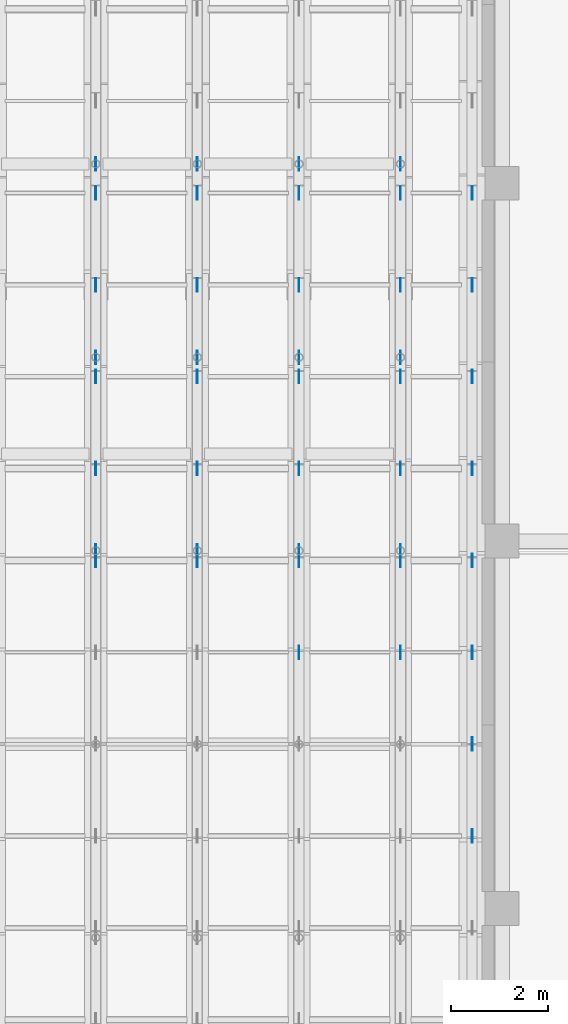
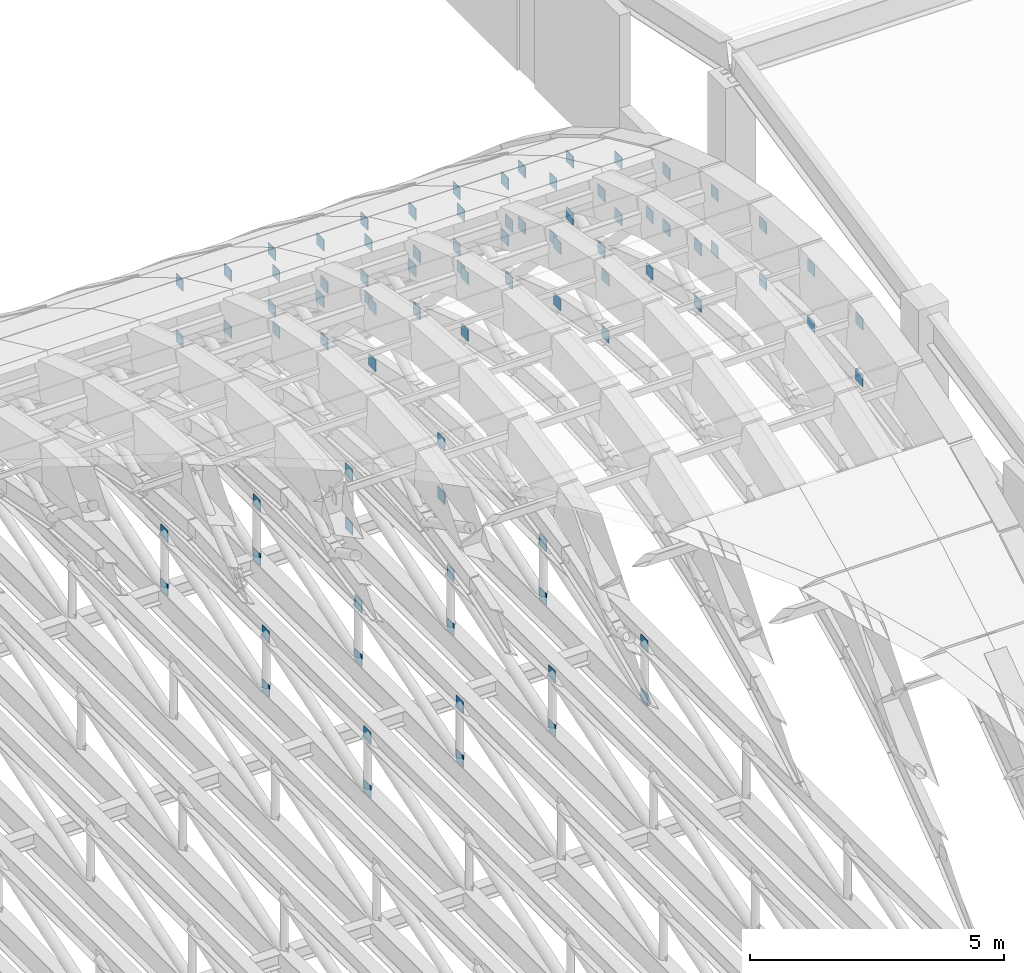
# One storey, part 63 of 67: 84 plates.
"""IFC4 building model written with IfcOpenShell, lengths in metres."""

import ifcopenshell
import ifcopenshell.guid

model = None  # the IFC model being written
_history = None  # IfcOwnerHistory: only IFC2X3 demands one
_inside = {}  # id of a spatial element -> (the spatial element, [elements in it])
_under = {}  # id of a project, library or spatial element -> (it, [spatial elements below it])
_declared = {}  # id of a project -> (the project, [libraries it declares])
_typed = {}  # id of a type object -> (the type object, [elements of that type])
_made_of = {}  # id of a material, layer set ... -> (it, [elements and type objects made of it])


def new_model(schema):
    """Start an empty IFC model of exactly this schema.

    Asked for "IFC4X3", IfcOpenShell would pick the latest addendum, in which some entities
    have other attributes; the version numbers below select the first issue.
    IFC2X3 requires an IfcOwnerHistory on every rooted entity: one is made here for all.
    """
    global model, _history
    if schema == "IFC4X3":
        model = ifcopenshell.file(schema_version=(4, 3, 0, 0))
    else:
        model = ifcopenshell.file(schema=schema)
    _inside.clear()
    _under.clear()
    _declared.clear()
    _typed.clear()
    _made_of.clear()
    _history = None
    if model.schema == "IFC2X3":
        org = make("IfcOrganization", Name="unknown")
        user = make(
            "IfcPersonAndOrganization",
            ThePerson=make("IfcPerson", FamilyName="unknown"),
            TheOrganization=org,
        )
        app = make(
            "IfcApplication",
            ApplicationDeveloper=org,
            Version="unknown",
            ApplicationFullName="unknown",
            ApplicationIdentifier="unknown",
        )
        _history = make(
            "IfcOwnerHistory",
            OwningUser=user,
            OwningApplication=app,
            ChangeAction="ADDED",
            CreationDate=0,
        )
    return model


def make(cls, **values):
    """One entity of the class cls with the attributes given. An attribute that is None is left unset."""
    return model.create_entity(
        cls, **{name: value for name, value in values.items() if value is not None}
    )


def rooted(cls, **values):
    """An entity with a GlobalId (a new one), such as an element, a storey or a relation."""
    return make(cls, GlobalId=ifcopenshell.guid.new(), OwnerHistory=_history, **values)


def si_unit(unit_type, name, prefix=None):
    """IfcSIUnit, for example si_unit("LENGTHUNIT", "METRE", prefix="MILLI")."""
    return make("IfcSIUnit", UnitType=unit_type, Prefix=prefix, Name=name)


def assignment(units):
    """IfcUnitAssignment: the units of a project."""
    return None if units is None else make("IfcUnitAssignment", Units=units)


def point(xyz):
    """IfcCartesianPoint."""
    return None if xyz is None else make("IfcCartesianPoint", Coordinates=xyz)


def direction(xyz):
    """IfcDirection."""
    return None if xyz is None else make("IfcDirection", DirectionRatios=xyz)


def frame(location, z_axis=None, x_axis=None):
    """IfcAxis2Placement3D, a coordinate frame: its origin and axes. An axis left out is left unset."""
    return make(
        "IfcAxis2Placement3D",
        Location=point(location),
        Axis=direction(z_axis),
        RefDirection=direction(x_axis),
    )


def frame_2d(location, x_axis=None):
    """IfcAxis2Placement2D, a coordinate frame in the plane: its origin and x axis."""
    return make(
        "IfcAxis2Placement2D", Location=point(location), RefDirection=direction(x_axis)
    )


def origin():
    """The frame at (0, 0, 0) with its axes left unset."""
    return frame((0.0, 0.0, 0.0))


def origin_2d():
    """The frame at (0, 0) in the plane with its x axis left unset."""
    return frame_2d((0.0, 0.0))


def place(relative_to, where):
    """IfcLocalPlacement: puts the frame where relative to a parent placement (None: the world)."""
    return make(
        "IfcLocalPlacement", PlacementRelTo=relative_to, RelativePlacement=where
    )


def context(
    kind, dimensions, precision=None, world=None, true_north=None, identifier=None
):
    """IfcGeometricRepresentationContext, for example the 3D "Model" context."""
    return make(
        "IfcGeometricRepresentationContext",
        ContextIdentifier=identifier,
        ContextType=kind,
        CoordinateSpaceDimension=dimensions,
        Precision=precision,
        WorldCoordinateSystem=world,
        TrueNorth=true_north,
    )


def subcontext(parent, identifier, kind, view, scale=None):
    """IfcGeometricRepresentationSubContext, for example "Body" below "Model"."""
    return make(
        "IfcGeometricRepresentationSubContext",
        ContextIdentifier=identifier,
        ContextType=kind,
        ParentContext=parent,
        TargetScale=scale,
        TargetView=view,
    )


def project(units=None, contexts=None):
    """IfcProject with its units and contexts."""
    return rooted(
        "IfcProject",
        Name="project",
        RepresentationContexts=contexts,
        UnitsInContext=assignment(units),
    )


def spatial(cls, under=None, at=None, **own):
    """A site, building, storey or space (cls), placed at a placement, below another one or the project."""
    s = rooted(cls, ObjectPlacement=at, **own)
    if under is not None:
        _under.setdefault(under.id(), (under, []))[1].append(s)
    return s


def profile(cls, at=None, kind="AREA", **sizes):
    """A parametric profile (cls). Its sizes go by their IFC names, for example OverallWidth=200.0."""
    return make(cls, ProfileType=kind, Position=at, **sizes)


def rectangle(**sizes):
    """IfcRectangleProfileDef."""
    return profile("IfcRectangleProfileDef", **sizes)


def extrude(swept, where, along, depth):
    """IfcExtrudedAreaSolid: the profile swept, set in the frame where, extruded along a direction by depth."""
    return make(
        "IfcExtrudedAreaSolid",
        SweptArea=swept,
        Position=where,
        ExtrudedDirection=direction(along),
        Depth=depth,
    )


def shape(context_of_items, identifier, shape_type, items):
    """IfcShapeRepresentation: the items that make up one representation, for example the "Body"."""
    return make(
        "IfcShapeRepresentation",
        ContextOfItems=context_of_items,
        RepresentationIdentifier=identifier,
        RepresentationType=shape_type,
        Items=items,
    )


def material(Name=None, Category=None):
    """IfcMaterial."""
    return make("IfcMaterial", Name=Name, Category=Category)


def layer(
    of_material, thickness, ventilated=None, Name=None, Category=None, Priority=None
):
    """IfcMaterialLayer: one layer of a wall or slab, of a material (None: an air gap)."""
    return make(
        "IfcMaterialLayer",
        Material=of_material,
        LayerThickness=thickness,
        IsVentilated=ventilated,
        Name=Name,
        Category=Category,
        Priority=Priority,
    )


def layer_set(layers, Name=None):
    """IfcMaterialLayerSet."""
    return make("IfcMaterialLayerSet", MaterialLayers=layers, LayerSetName=Name)


def made_of(thing, what):
    """Note that an element or type object is made of a material, layer set ...; save() writes the relation."""
    if what is not None:
        _made_of.setdefault(what.id(), (what, []))[1].append(thing)
    return thing


def type_object(cls, material=None, **own):
    """A type object (cls), such as IfcWallType, which elements share."""
    return made_of(rooted(cls, **own), material)


def element(
    cls,
    number,
    at=None,
    inside=None,
    cuts=None,
    type_object=None,
    material=None,
    context=None,
    identifier="Body",
    shape_type=None,
    held_by="IfcProductDefinitionShape",
    body=None,
    shapes=None,
    **own,
):
    """One element of the class cls, such as IfcWall. Its Tag is "e" and its number.

    at: its placement. inside: the storey or other place that contains it. cuts: it is an
    opening in that element (IfcRelVoidsElement). A single representation is given by context,
    identifier, shape_type and body (its items); several are given by shapes. held_by: the class
    of the entity that holds the representations. save() writes the other relations.
    """
    e = rooted(cls, Tag="e%d" % number, ObjectPlacement=at, **own)
    if body is not None:
        shapes = [shape(context, identifier, shape_type, body)]
    if shapes is not None:
        e.Representation = make(held_by, Representations=shapes)
    if inside is not None:
        _inside.setdefault(inside.id(), (inside, []))[1].append(e)
    if cuts is not None:
        rooted(
            "IfcRelVoidsElement", RelatingBuildingElement=cuts, RelatedOpeningElement=e
        )
    if type_object is not None:
        _typed.setdefault(type_object.id(), (type_object, []))[1].append(e)
    return made_of(e, material)


def aggregate(whole, parts):
    """IfcRelAggregates: a whole, such as a stair, and the parts it consists of."""
    return rooted("IfcRelAggregates", RelatingObject=whole, RelatedObjects=parts)


def save(model, path):
    """Write the relations noted so far, then the file.

    IfcRelAggregates (storeys below a building ...), IfcRelContainedInSpatialStructure (elements
    in a storey), IfcRelDefinesByType, IfcRelAssociatesMaterial and IfcRelDeclares: one each for
    every whole, place, type object, material and project.
    """
    for whole, parts in _under.values():
        aggregate(whole, parts)
    for where, things in _inside.values():
        rooted(
            "IfcRelContainedInSpatialStructure",
            RelatedElements=things,
            RelatingStructure=where,
        )
    for kind, things in _typed.values():
        rooted("IfcRelDefinesByType", RelatedObjects=things, RelatingType=kind)
    for what, things in _made_of.values():
        rooted("IfcRelAssociatesMaterial", RelatedObjects=things, RelatingMaterial=what)
    for by, libraries in _declared.values():
        rooted("IfcRelDeclares", RelatingContext=by, RelatedDefinitions=libraries)
    model.write(path)


model = new_model("IFC4")

# Units and contexts
model_context = context("Model", 3, precision=1e-05, world=origin(), true_north=direction((0.0, 1.0)))
body_context = subcontext(model_context, "Body", "Model", "MODEL_VIEW")
ifc_project = project(units=[si_unit("LENGTHUNIT", "METRE"), si_unit("AREAUNIT", "SQUARE_METRE"), si_unit("VOLUMEUNIT", "CUBIC_METRE"), si_unit("PLANEANGLEUNIT", "RADIAN"), si_unit("MASSUNIT", "GRAM", prefix="KILO")], contexts=[model_context])

# Site, building, storey
site_placement = place(None, origin())
site = spatial("IfcSite", under=ifc_project, at=site_placement, CompositionType="ELEMENT")
building_placement = place(site_placement, origin())
building = spatial("IfcBuilding", under=site, at=building_placement, Name="Shengluoqiao Park Theatre", CompositionType="ELEMENT")
storey_placement = place(building_placement, frame((0.0, 0.0, 28.60009765625)))
storey = spatial("IfcBuildingStorey", under=building, at=storey_placement, Name="Roof", CompositionType="ELEMENT", Elevation=28.60009765625)

# Plates
ifc_material = material(Name="Steel Q355", Category="steel")
ifc_layer = layer(ifc_material, 0.013916015625, Name="Steel Q355")
ifc_layer_set = layer_set([ifc_layer], Name="Steel Q355")
plate_type = type_object("IfcPlateType", Name="STR-PLT-EC-280", PredefinedType="SHEET", material=ifc_layer_set)
for number, where, z_axis, x_axis, name in (
    (1, (78.0, 98.800048828125, 1.93603515625), (0.0, 0.0, 1.0), (1.0, 0.0, 0.0), "Arch Truss Node Gusset Plate R17-U12"),
    (2, (78.0, 98.800048828125, 0.57568359375), (0.0, 0.0, 1.0), (1.0, 0.0, 0.0), "Arch Truss Node Gusset Plate R17-L12"),
    (3, (78.0, 100.699951171875, 1.3056640625), (0.0, 0.0, 1.0), (1.0, 0.0, 0.0), "Arch Truss Node Gusset Plate R17-U13"),
    (4, (78.0, 100.699951171875, -0.05419921875), (0.0, 0.0, 1.0), (1.0, 0.0, 0.0), "Arch Truss Node Gusset Plate R17-L13"),
    (5, (78.0, 102.60009765625, 0.423828125), (0.0, 0.0, 1.0), (1.0, 0.0, 0.0), "Arch Truss Node Gusset Plate R17-U14"),
    (6, (78.0, 102.60009765625, -0.93603515625), (0.0, 0.0, 1.0), (1.0, 0.0, 0.0), "Arch Truss Node Gusset Plate R17-L14"),
    (7, (78.0, 104.5, -0.7099609375), (0.0, 0.0, 1.0), (1.0, 0.0, 0.0), "Arch Truss Node Gusset Plate R17-U15"),
    (8, (78.0, 104.5, -2.0703125), (0.0, 0.0, 1.0), (1.0, 0.0, 0.0), "Arch Truss Node Gusset Plate R17-L15"),
    (9, (78.0, 106.39990234375, -2.09619140625), (0.0, 0.0, 1.0), (1.0, 0.0, 0.0), "Arch Truss Node Gusset Plate R17-U16"),
    (10, (78.0, 106.39990234375, -3.4560546875), (0.0, 0.0, 1.0), (1.0, 0.0, 0.0), "Arch Truss Node Gusset Plate R17-L16"),
    (11, (80.10009765625, 98.800048828125, 1.93603515625), (0.0, 0.0, 1.0), (1.0, 0.0, 0.0), "Arch Truss Node Gusset Plate R18-U12"),
    (12, (80.10009765625, 98.800048828125, 0.57568359375), (0.0, 0.0, 1.0), (1.0, 0.0, 0.0), "Arch Truss Node Gusset Plate R18-L12"),
    (13, (80.10009765625, 100.699951171875, 1.3056640625), (0.0, 0.0, 1.0), (1.0, 0.0, 0.0), "Arch Truss Node Gusset Plate R18-U13"),
    (14, (80.10009765625, 100.699951171875, -0.05419921875), (0.0, 0.0, 1.0), (1.0, 0.0, 0.0), "Arch Truss Node Gusset Plate R18-L13"),
    (15, (80.10009765625, 102.60009765625, 0.423828125), (0.0, 0.0, 1.0), (1.0, 0.0, 0.0), "Arch Truss Node Gusset Plate R18-U14"),
    (16, (80.10009765625, 102.60009765625, -0.93603515625), (0.0, 0.0, 1.0), (1.0, 0.0, 0.0), "Arch Truss Node Gusset Plate R18-L14"),
    (17, (80.10009765625, 104.5, -0.7099609375), (0.0, 0.0, 1.0), (1.0, 0.0, 0.0), "Arch Truss Node Gusset Plate R18-U15"),
    (18, (80.10009765625, 104.5, -2.0703125), (0.0, 0.0, 1.0), (1.0, 0.0, 0.0), "Arch Truss Node Gusset Plate R18-L15"),
    (19, (80.10009765625, 106.39990234375, -2.09619140625), (0.0, 0.0, 1.0), (1.0, 0.0, 0.0), "Arch Truss Node Gusset Plate R18-U16"),
    (20, (80.10009765625, 106.39990234375, -3.4560546875), (0.0, 0.0, 1.0), (1.0, 0.0, 0.0), "Arch Truss Node Gusset Plate R18-L16"),
    (21, (82.199951171875, 96.89990234375, 2.31396484375), (0.0, 0.0, 1.0), (1.0, 0.0, 0.0), "Arch Truss Node Gusset Plate R19-U11"),
    (22, (82.199951171875, 96.89990234375, 0.9541015625), (0.0, 0.0, 1.0), (1.0, 0.0, 0.0), "Arch Truss Node Gusset Plate R19-L11"),
    (23, (82.199951171875, 98.800048828125, 1.93603515625), (0.0, 0.0, 1.0), (1.0, 0.0, 0.0), "Arch Truss Node Gusset Plate R19-U12"),
    (24, (82.199951171875, 98.800048828125, 0.57568359375), (0.0, 0.0, 1.0), (1.0, 0.0, 0.0), "Arch Truss Node Gusset Plate R19-L12"),
    (25, (82.199951171875, 100.699951171875, 1.3056640625), (0.0, 0.0, 1.0), (1.0, 0.0, 0.0), "Arch Truss Node Gusset Plate R19-U13"),
    (26, (82.199951171875, 100.699951171875, -0.05419921875), (0.0, 0.0, 1.0), (1.0, 0.0, 0.0), "Arch Truss Node Gusset Plate R19-L13"),
    (27, (82.199951171875, 102.60009765625, 0.423828125), (0.0, 0.0, 1.0), (1.0, 0.0, 0.0), "Arch Truss Node Gusset Plate R19-U14"),
    (28, (82.199951171875, 102.60009765625, -0.93603515625), (0.0, 0.0, 1.0), (1.0, 0.0, 0.0), "Arch Truss Node Gusset Plate R19-L14"),
    (29, (82.199951171875, 104.5, -0.7099609375), (0.0, 0.0, 1.0), (1.0, 0.0, 0.0), "Arch Truss Node Gusset Plate R19-U15"),
    (30, (82.199951171875, 104.5, -2.0703125), (0.0, 0.0, 1.0), (1.0, 0.0, 0.0), "Arch Truss Node Gusset Plate R19-L15"),
    (31, (82.199951171875, 106.39990234375, -2.09619140625), (0.0, 0.0, 1.0), (1.0, 0.0, 0.0), "Arch Truss Node Gusset Plate R19-U16"),
    (32, (82.199951171875, 106.39990234375, -3.4560546875), (0.0, 0.0, 1.0), (1.0, 0.0, 0.0), "Arch Truss Node Gusset Plate R19-L16"),
    (33, (84.300048828125, 96.89990234375, 2.31396484375), (0.0, 0.0, 1.0), (1.0, 0.0, 0.0), "Arch Truss Node Gusset Plate R20-U11"),
    (34, (84.300048828125, 96.89990234375, 0.9541015625), (0.0, 0.0, 1.0), (1.0, 0.0, 0.0), "Arch Truss Node Gusset Plate R20-L11"),
    (35, (84.300048828125, 98.800048828125, 1.93603515625), (0.0, 0.0, 1.0), (1.0, 0.0, 0.0), "Arch Truss Node Gusset Plate R20-U12"),
    (36, (84.300048828125, 98.800048828125, 0.57568359375), (0.0, 0.0, 1.0), (1.0, 0.0, 0.0), "Arch Truss Node Gusset Plate R20-L12"),
    (37, (84.300048828125, 100.699951171875, 1.3056640625), (0.0, 0.0, 1.0), (1.0, 0.0, 0.0), "Arch Truss Node Gusset Plate R20-U13"),
    (38, (84.300048828125, 100.699951171875, -0.05419921875), (0.0, 0.0, 1.0), (1.0, 0.0, 0.0), "Arch Truss Node Gusset Plate R20-L13"),
    (39, (84.300048828125, 102.60009765625, 0.423828125), (0.0, 0.0, 1.0), (1.0, 0.0, 0.0), "Arch Truss Node Gusset Plate R20-U14"),
    (40, (84.300048828125, 102.60009765625, -0.93603515625), (0.0, 0.0, 1.0), (1.0, 0.0, 0.0), "Arch Truss Node Gusset Plate R20-L14"),
    (41, (84.300048828125, 104.5, -0.7099609375), (0.0, 0.0, 1.0), (1.0, 0.0, 0.0), "Arch Truss Node Gusset Plate R20-U15"),
    (42, (84.300048828125, 104.5, -2.0703125), (0.0, 0.0, 1.0), (1.0, 0.0, 0.0), "Arch Truss Node Gusset Plate R20-L15"),
    (43, (84.300048828125, 106.39990234375, -2.09619140625), (0.0, 0.0, 1.0), (1.0, 0.0, 0.0), "Arch Truss Node Gusset Plate R20-U16"),
    (44, (84.300048828125, 106.39990234375, -3.4560546875), (0.0, 0.0, 1.0), (1.0, 0.0, 0.0), "Arch Truss Node Gusset Plate R20-L16"),
    (45, (85.780029296875, 93.10009765625, 2.31396484375), (0.0, 0.0, 1.0), (1.0, 0.0, 0.0), "Arch Truss Node Gusset Plate R21-U09"),
    (46, (85.780029296875, 93.10009765625, 0.9541015625), (0.0, 0.0, 1.0), (1.0, 0.0, 0.0), "Arch Truss Node Gusset Plate R21-L09"),
    (47, (85.780029296875, 95.0, 2.43994140625), (0.0, 0.0, 1.0), (1.0, 0.0, 0.0), "Arch Truss Node Gusset Plate R21-U10"),
    (48, (85.780029296875, 95.0, 1.080078125), (0.0, 0.0, 1.0), (1.0, 0.0, 0.0), "Arch Truss Node Gusset Plate R21-L10"),
    (49, (85.780029296875, 96.89990234375, 2.31396484375), (0.0, 0.0, 1.0), (1.0, 0.0, 0.0), "Arch Truss Node Gusset Plate R21-U11"),
    (50, (85.780029296875, 96.89990234375, 0.9541015625), (0.0, 0.0, 1.0), (1.0, 0.0, 0.0), "Arch Truss Node Gusset Plate R21-L11"),
    (51, (85.780029296875, 98.800048828125, 1.93603515625), (0.0, 0.0, 1.0), (1.0, 0.0, 0.0), "Arch Truss Node Gusset Plate R21-U12"),
    (52, (85.780029296875, 98.800048828125, 0.57568359375), (0.0, 0.0, 1.0), (1.0, 0.0, 0.0), "Arch Truss Node Gusset Plate R21-L12"),
    (53, (85.780029296875, 100.699951171875, 1.3056640625), (0.0, 0.0, 1.0), (1.0, 0.0, 0.0), "Arch Truss Node Gusset Plate R21-U13"),
    (54, (85.780029296875, 100.699951171875, -0.05419921875), (0.0, 0.0, 1.0), (1.0, 0.0, 0.0), "Arch Truss Node Gusset Plate R21-L13"),
    (55, (85.780029296875, 102.60009765625, 0.423828125), (0.0, 0.0, 1.0), (1.0, 0.0, 0.0), "Arch Truss Node Gusset Plate R21-U14"),
    (56, (85.780029296875, 102.60009765625, -0.93603515625), (0.0, 0.0, 1.0), (1.0, 0.0, 0.0), "Arch Truss Node Gusset Plate R21-L14"),
    (57, (85.780029296875, 104.5, -0.7099609375), (0.0, 0.0, 1.0), (1.0, 0.0, 0.0), "Arch Truss Node Gusset Plate R21-U15"),
    (58, (85.780029296875, 104.5, -2.0703125), (0.0, 0.0, 1.0), (1.0, 0.0, 0.0), "Arch Truss Node Gusset Plate R21-L15"),
    (59, (85.780029296875, 106.39990234375, -2.09619140625), (0.0, 0.0, 1.0), (1.0, 0.0, 0.0), "Arch Truss Node Gusset Plate R21-U16"),
    (60, (85.780029296875, 106.39990234375, -3.4560546875), (0.0, 0.0, 1.0), (1.0, 0.0, 0.0), "Arch Truss Node Gusset Plate R21-L16"),
    (61, (78.0, 99.0, -9.7900390625), (0.0, 0.0, 1.0), (1.0, 0.0, 0.0), "Tie Truss Node Gusset Plate R17-B05"),
    (62, (78.0, 99.0, -8.490234375), (0.0, 0.0, 1.0), (1.0, 0.0, 0.0), "Tie Truss Node Gusset Plate R17-T05"),
    (63, (78.0, 103.0, -9.7900390625), (0.0, 0.0, 1.0), (1.0, 0.0, 0.0), "Tie Truss Node Gusset Plate R17-B06"),
    (64, (78.0, 103.0, -8.490234375), (0.0, 0.0, 1.0), (1.0, 0.0, 0.0), "Tie Truss Node Gusset Plate R17-T06"),
    (65, (78.0, 107.0, -9.7900390625), (0.0, 0.0, 1.0), (1.0, 0.0, 0.0), "Tie Truss Node Gusset Plate R17-B07"),
    (66, (78.0, 107.0, -8.490234375), (0.0, 0.0, 1.0), (1.0, 0.0, 0.0), "Tie Truss Node Gusset Plate R17-T07"),
    (67, (80.10009765625, 99.0, -9.7900390625), (0.0, 0.0, 1.0), (1.0, 0.0, 0.0), "Tie Truss Node Gusset Plate R18-B05"),
    (68, (80.10009765625, 99.0, -8.490234375), (0.0, 0.0, 1.0), (1.0, 0.0, 0.0), "Tie Truss Node Gusset Plate R18-T05"),
    (69, (80.10009765625, 103.0, -9.7900390625), (0.0, 0.0, 1.0), (1.0, 0.0, 0.0), "Tie Truss Node Gusset Plate R18-B06"),
    (70, (80.10009765625, 103.0, -8.490234375), (0.0, 0.0, 1.0), (1.0, 0.0, 0.0), "Tie Truss Node Gusset Plate R18-T06"),
    (71, (80.10009765625, 107.0, -9.7900390625), (0.0, 0.0, 1.0), (1.0, 0.0, 0.0), "Tie Truss Node Gusset Plate R18-B07"),
    (72, (80.10009765625, 107.0, -8.490234375), (0.0, 0.0, 1.0), (1.0, 0.0, 0.0), "Tie Truss Node Gusset Plate R18-T07"),
    (73, (82.199951171875, 99.0, -9.7900390625), (0.0, 0.0, 1.0), (1.0, 0.0, 0.0), "Tie Truss Node Gusset Plate R19-B05"),
    (74, (82.199951171875, 99.0, -8.490234375), (0.0, 0.0, 1.0), (1.0, 0.0, 0.0), "Tie Truss Node Gusset Plate R19-T05"),
    (75, (82.199951171875, 103.0, -9.7900390625), (0.0, 0.0, 1.0), (1.0, 0.0, 0.0), "Tie Truss Node Gusset Plate R19-B06"),
    (76, (82.199951171875, 103.0, -8.490234375), (0.0, 0.0, 1.0), (1.0, 0.0, 0.0), "Tie Truss Node Gusset Plate R19-T06"),
    (77, (82.199951171875, 107.0, -9.7900390625), (0.0, 0.0, 1.0), (1.0, 0.0, 0.0), "Tie Truss Node Gusset Plate R19-B07"),
    (78, (82.199951171875, 107.0, -8.490234375), (0.0, 0.0, 1.0), (1.0, 0.0, 0.0), "Tie Truss Node Gusset Plate R19-T07"),
    (79, (84.300048828125, 99.0, -9.7900390625), (0.0, 0.0, 1.0), (1.0, 0.0, 0.0), "Tie Truss Node Gusset Plate R20-B05"),
    (80, (84.300048828125, 99.0, -8.490234375), (0.0, 0.0, 1.0), (1.0, 0.0, 0.0), "Tie Truss Node Gusset Plate R20-T05"),
    (81, (84.300048828125, 103.0, -9.7900390625), (0.0, 0.0, 1.0), (1.0, 0.0, 0.0), "Tie Truss Node Gusset Plate R20-B06"),
    (82, (84.300048828125, 103.0, -8.490234375), (0.0, 0.0, 1.0), (1.0, 0.0, 0.0), "Tie Truss Node Gusset Plate R20-T06"),
    (83, (84.300048828125, 107.0, -9.7900390625), (0.0, 0.0, 1.0), (1.0, 0.0, 0.0), "Tie Truss Node Gusset Plate R20-B07"),
    (84, (84.300048828125, 107.0, -8.490234375), (0.0, 0.0, 1.0), (1.0, 0.0, 0.0), "Tie Truss Node Gusset Plate R20-T07"),
):
    element("IfcPlate", number, at=place(storey_placement, frame(where, z_axis=z_axis, x_axis=x_axis)), inside=storey, type_object=plate_type, Name=name, PredefinedType="SHEET", context=body_context, shape_type="SweptSolid", body=[
        extrude(rectangle(XDim=0.01806640625, YDim=0.280029296875, at=origin_2d()), origin(), (0.0, 0.0, 1.0), 0.280029296875),
    ])

save(model, "model.ifc")
